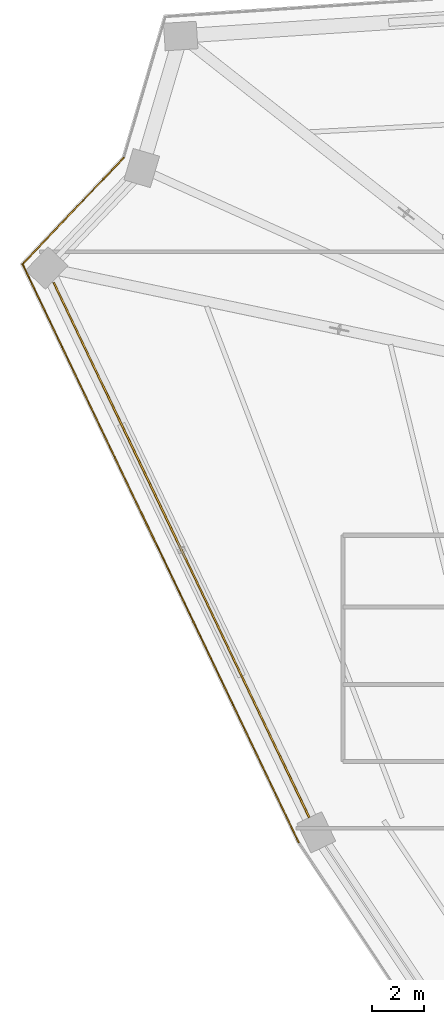
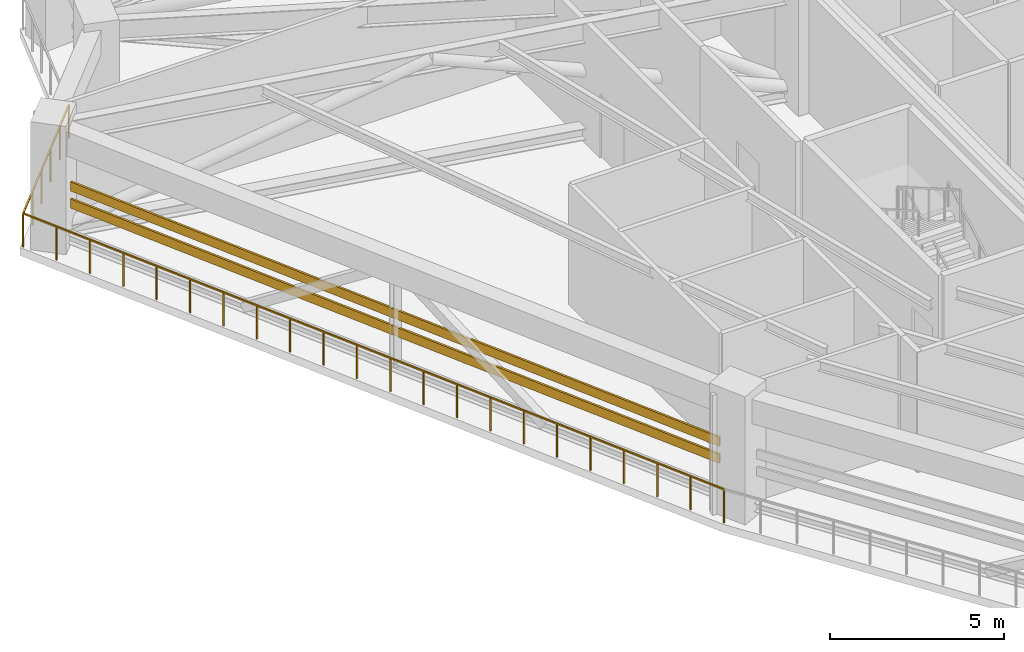
# One storey, part 20 of 22: 2 railings, 2 shading devices.
"""IFC4 building model written with IfcOpenShell, lengths in metres."""

from ifc_helpers import new_model, si_unit, direction, frame, origin, origin_2d, place, context, subcontext, project, spatial, rectangle, extrude, source, transform, mapped, material, material_profile, profile_set, type_object, element, save


model = new_model("IFC4")

# Units and contexts
model_context = context("Model", 3, precision=1e-05, world=origin(), true_north=direction((0.0, 1.0)))
body_context = subcontext(model_context, "Body", "Model", "MODEL_VIEW")
ifc_project = project(units=[si_unit("LENGTHUNIT", "METRE"), si_unit("AREAUNIT", "SQUARE_METRE"), si_unit("VOLUMEUNIT", "CUBIC_METRE"), si_unit("PLANEANGLEUNIT", "RADIAN"), si_unit("MASSUNIT", "GRAM", prefix="KILO")], contexts=[model_context])

# Site, building, storey
site_placement = place(None, origin())
site = spatial("IfcSite", under=ifc_project, at=site_placement, CompositionType="ELEMENT")
building_placement = place(site_placement, origin())
building = spatial("IfcBuilding", under=site, at=building_placement, Name="Liaohun Quay Tower", CompositionType="ELEMENT")
storey_placement = place(building_placement, frame((0.0, 0.0, 277.5)))
storey = spatial("IfcBuildingStorey", under=building, at=storey_placement, Name="L72", CompositionType="ELEMENT", Elevation=277.5)

# Railings
ifc_material_1 = material(Name="Galvanised and powder-coated steel", Category="steel")
railing_type = type_object("IfcRailingType", Name="RLG-GUARD-EXT", PredefinedType="GUARDRAIL", material=ifc_material_1)
railing_1_placement = place(storey_placement, frame((38.29296875, 44.258056640625, 0.0)))
element("IfcRailing", 1, at=railing_1_placement, inside=storey, type_object=railing_type, Name="L72 Open Refuge Band Perimeter Guardrail 02", PredefinedType="GUARDRAIL", context=body_context, shape_type="SweptSolid", body=[
    extrude(rectangle(XDim=0.048095703125, YDim=0.048095703125, at=origin_2d()), frame((0.0, 0.0, 1.17578125), z_axis=(-0.431049237996, 0.90232840719, 0.0), x_axis=(-0.90232840719, -0.431049237996, 0.0)), (0.0, 0.0, 1.0), 24.45654296875),
    extrude(rectangle(XDim=0.0419921875, YDim=0.0419921875, at=origin_2d()), origin(), (0.0, 0.0, 1.0), 1.15185546875),
    extrude(rectangle(XDim=0.0419921875, YDim=0.0419921875, at=origin_2d()), frame((-0.501953125, 1.05078125, 0.0)), (0.0, 0.0, 1.0), 1.15185546875),
    extrude(rectangle(XDim=0.0419921875, YDim=0.0419921875, at=origin_2d()), frame((-1.00390625, 2.101806640625, 0.0)), (0.0, 0.0, 1.0), 1.15185546875),
    extrude(rectangle(XDim=0.0419921875, YDim=0.0419921875, at=origin_2d()), frame((-1.506103515625, 3.152587890625, 0.0)), (0.0, 0.0, 1.0), 1.15185546875),
    extrude(rectangle(XDim=0.0419921875, YDim=0.0419921875, at=origin_2d()), frame((-2.008056640625, 4.203369140625, 0.0)), (0.0, 0.0, 1.0), 1.15185546875),
    extrude(rectangle(XDim=0.0419921875, YDim=0.0419921875, at=origin_2d()), frame((-2.510009765625, 5.254150390625, 0.0)), (0.0, 0.0, 1.0), 1.15185546875),
    extrude(rectangle(XDim=0.0419921875, YDim=0.0419921875, at=origin_2d()), frame((-3.011962890625, 6.30517578125, 0.0)), (0.0, 0.0, 1.0), 1.15185546875),
    extrude(rectangle(XDim=0.0419921875, YDim=0.0419921875, at=origin_2d()), frame((-3.513916015625, 7.35595703125, 0.0)), (0.0, 0.0, 1.0), 1.15185546875),
    extrude(rectangle(XDim=0.0419921875, YDim=0.0419921875, at=origin_2d()), frame((-4.01611328125, 8.40673828125, 0.0)), (0.0, 0.0, 1.0), 1.15185546875),
    extrude(rectangle(XDim=0.0419921875, YDim=0.0419921875, at=origin_2d()), frame((-4.51806640625, 9.457763671875, 0.0)), (0.0, 0.0, 1.0), 1.15185546875),
    extrude(rectangle(XDim=0.0419921875, YDim=0.0419921875, at=origin_2d()), frame((-5.02001953125, 10.508544921875, 0.0)), (0.0, 0.0, 1.0), 1.15185546875),
    extrude(rectangle(XDim=0.0419921875, YDim=0.0419921875, at=origin_2d()), frame((-5.52197265625, 11.559326171875, 0.0)), (0.0, 0.0, 1.0), 1.15185546875),
    extrude(rectangle(XDim=0.0419921875, YDim=0.0419921875, at=origin_2d()), frame((-6.02392578125, 12.610107421875, 0.0)), (0.0, 0.0, 1.0), 1.15185546875),
    extrude(rectangle(XDim=0.0419921875, YDim=0.0419921875, at=origin_2d()), frame((-6.52587890625, 13.6611328125, 0.0)), (0.0, 0.0, 1.0), 1.15185546875),
    extrude(rectangle(XDim=0.0419921875, YDim=0.0419921875, at=origin_2d()), frame((-7.028076171875, 14.7119140625, 0.0)), (0.0, 0.0, 1.0), 1.15185546875),
    extrude(rectangle(XDim=0.0419921875, YDim=0.0419921875, at=origin_2d()), frame((-7.530029296875, 15.7626953125, 0.0)), (0.0, 0.0, 1.0), 1.15185546875),
    extrude(rectangle(XDim=0.0419921875, YDim=0.0419921875, at=origin_2d()), frame((-8.031982421875, 16.813720703125, 0.0)), (0.0, 0.0, 1.0), 1.15185546875),
    extrude(rectangle(XDim=0.0419921875, YDim=0.0419921875, at=origin_2d()), frame((-8.533935546875, 17.864501953125, 0.0)), (0.0, 0.0, 1.0), 1.15185546875),
    extrude(rectangle(XDim=0.0419921875, YDim=0.0419921875, at=origin_2d()), frame((-9.035888671875, 18.915283203125, 0.0)), (0.0, 0.0, 1.0), 1.15185546875),
    extrude(rectangle(XDim=0.0419921875, YDim=0.0419921875, at=origin_2d()), frame((-9.5380859375, 19.966064453125, 0.0)), (0.0, 0.0, 1.0), 1.15185546875),
    extrude(rectangle(XDim=0.0419921875, YDim=0.0419921875, at=origin_2d()), frame((-10.0400390625, 21.01708984375, 0.0)), (0.0, 0.0, 1.0), 1.15185546875),
    extrude(rectangle(XDim=0.0419921875, YDim=0.0419921875, at=origin_2d()), frame((-10.5419921875, 22.06787109375, 0.0)), (0.0, 0.0, 1.0), 1.15185546875),
])
railing_2_placement = place(storey_placement, frame((27.7509765625, 66.325927734375, 0.0)))
element("IfcRailing", 2, at=railing_2_placement, inside=storey, type_object=railing_type, Name="L72 Open Refuge Band Perimeter Guardrail 03", PredefinedType="GUARDRAIL", context=body_context, shape_type="SweptSolid", body=[
    extrude(rectangle(XDim=0.048095703125, YDim=0.048095703125, at=origin_2d()), frame((0.0, 0.0, 1.17578125), z_axis=(0.689319133401, 0.724457819564, 0.0), x_axis=(-0.724457819564, 0.689319133401, 0.0)), (0.0, 0.0, 1.0), 5.60693359375),
    extrude(rectangle(XDim=0.0419921875, YDim=0.0419921875, at=origin_2d()), origin(), (0.0, 0.0, 1.0), 1.15185546875),
    extrude(rectangle(XDim=0.0419921875, YDim=0.0419921875, at=origin_2d()), frame((0.77294921875, 0.8125, 0.0)), (0.0, 0.0, 1.0), 1.15185546875),
    extrude(rectangle(XDim=0.0419921875, YDim=0.0419921875, at=origin_2d()), frame((1.5458984375, 1.624755859375, 0.0)), (0.0, 0.0, 1.0), 1.15185546875),
    extrude(rectangle(XDim=0.0419921875, YDim=0.0419921875, at=origin_2d()), frame((2.319091796875, 2.437255859375, 0.0)), (0.0, 0.0, 1.0), 1.15185546875),
    extrude(rectangle(XDim=0.0419921875, YDim=0.0419921875, at=origin_2d()), frame((3.092041015625, 3.24951171875, 0.0)), (0.0, 0.0, 1.0), 1.15185546875),
    extrude(rectangle(XDim=0.0419921875, YDim=0.0419921875, at=origin_2d()), frame((3.864990234375, 4.06201171875, 0.0)), (0.0, 0.0, 1.0), 1.15185546875),
])

# Shading devices
ifc_material_2 = material(Name="Fluorocarbon-coated aluminium", Category="aluminium")
ifc_material_profile = material_profile(ifc_material_2, rectangle(XDim=0.06494140625, YDim=0.320068359375, at=origin_2d()), Name="ALU-LVR-320x65")
ifc_profile_set = profile_set([ifc_material_profile], Name="Fluorocarbon-coated aluminium")
shading_device_type = type_object("IfcShadingDeviceType", Name="SHD-LVR-REF", PredefinedType="USERDEFINED", material=ifc_profile_set)
shared_shape = source(origin(), body_context, "Body", "SweptSolid", [
    extrude(rectangle(XDim=0.06494140625, YDim=0.320068359375, at=origin_2d()), origin(), (0.0, 0.0, 1.0), 22.6416015625),
])
for number, where, z_axis, x_axis, name in (
    (3, (38.698974609375, 45.194091796875, 1.550048828125), (-0.431066278959, 0.902320266393, 0.0), (-0.902320266393, -0.431066278959, 0.0), "L72 Refuge Plant Acoustic Louvre Blade LV-1-03"),
    (4, (38.698974609375, 45.194091796875, 2.14990234375), (-0.431066278959, 0.902320266393, 0.0), (-0.902320266393, -0.431066278959, 0.0), "L72 Refuge Plant Acoustic Louvre Blade LV-1-04"),
):
    element("IfcShadingDevice", number, at=place(storey_placement, frame(where, z_axis=z_axis, x_axis=x_axis)), inside=storey, type_object=shading_device_type, Name=name, ObjectType="LOUVRE", PredefinedType="USERDEFINED", context=body_context, shape_type="MappedRepresentation", body=[
        mapped(shared_shape, transform((0.0, 0.0, 0.0), x_axis=(1.0, 0.0, 0.0), y_axis=(0.0, 1.0, 0.0), z_axis=(0.0, 0.0, 1.0), scale=1.0)),
    ])

save(model, "model.ifc")
